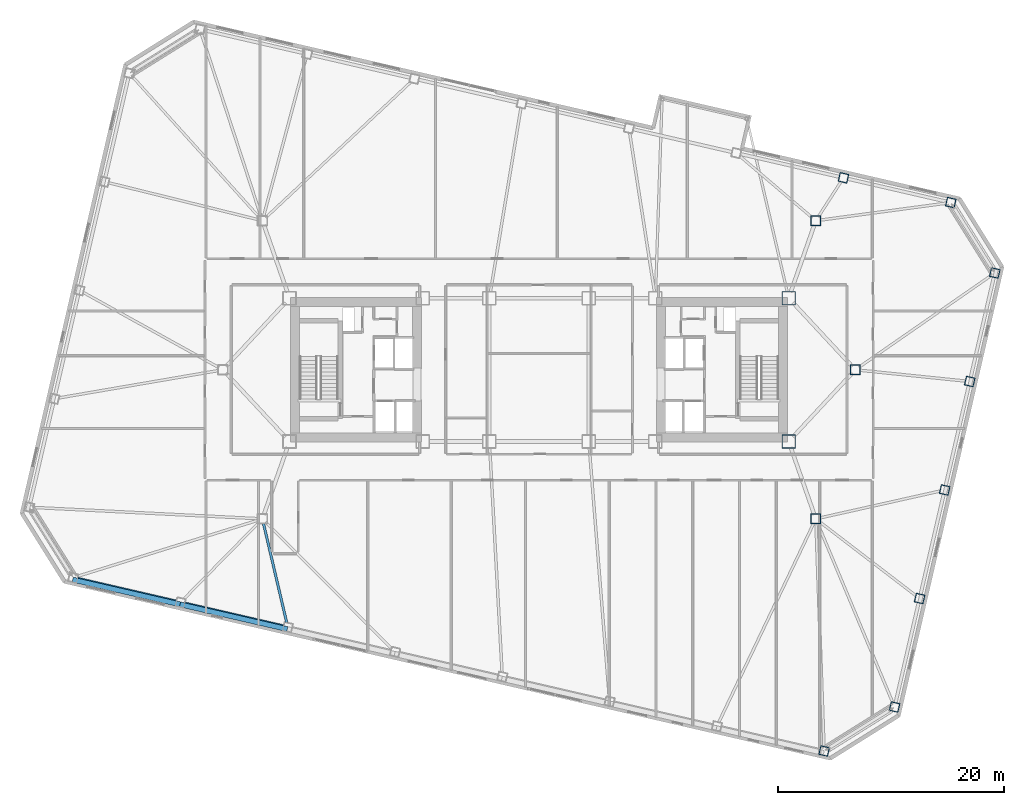
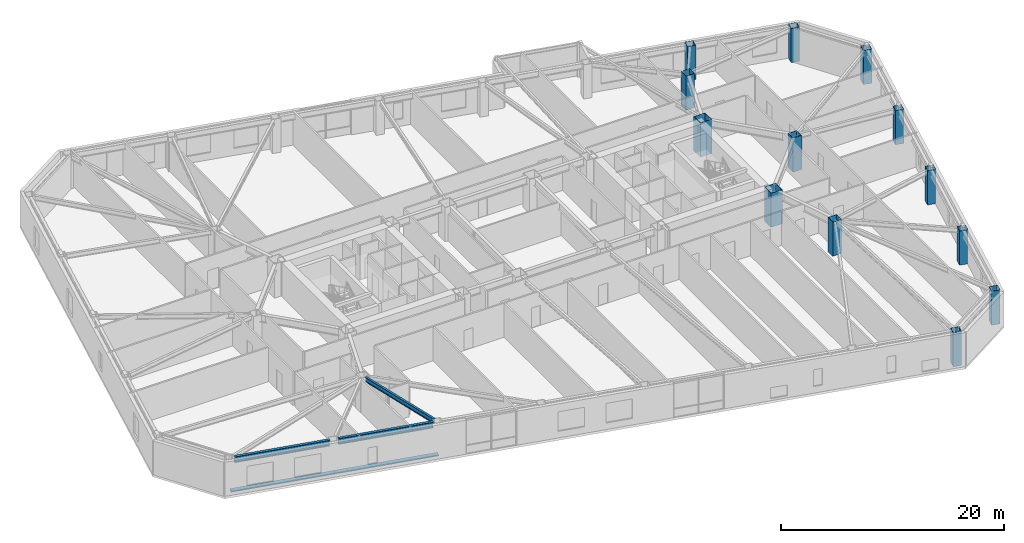
# One storey, part 3 of 21: 13 columns, 3 beams, 2 members.
"""IFC4 building model written with IfcOpenShell, lengths in metres."""

from ifc_helpers import new_model, si_unit, direction, frame, origin, origin_2d, place, context, subcontext, project, spatial, rectangle, hollow_rectangle, i_section, extrude, material, material_profile, profile_set, type_object, element, save


model = new_model("IFC4")

# Units and contexts
model_context = context("Model", 3, precision=1e-05, world=origin(), true_north=direction((0.0, 1.0)))
body_context = subcontext(model_context, "Body", "Model", "MODEL_VIEW")
ifc_project = project(units=[si_unit("LENGTHUNIT", "METRE"), si_unit("AREAUNIT", "SQUARE_METRE"), si_unit("VOLUMEUNIT", "CUBIC_METRE"), si_unit("PLANEANGLEUNIT", "RADIAN"), si_unit("MASSUNIT", "GRAM", prefix="KILO")], contexts=[model_context])

# Site, building, storey
site_placement = place(None, origin())
site = spatial("IfcSite", under=ifc_project, at=site_placement, CompositionType="ELEMENT")
building_placement = place(site_placement, origin())
building = spatial("IfcBuilding", under=site, at=building_placement, Name="Tavrogorsk Clinical Tower", CompositionType="ELEMENT")
storey_placement = place(building_placement, frame((0.0, 0.0, 71.39990234375)))
storey = spatial("IfcBuildingStorey", under=building, at=storey_placement, Name="L15", CompositionType="ELEMENT", Elevation=71.39990234375)

# Columns
ifc_material_1 = material(Name="Structural steel S440", Category="steel")
ifc_material_profile_1 = material_profile(ifc_material_1, hollow_rectangle(XDim=1.199951171875, YDim=1.199951171875, WallThickness=0.050048828125, at=origin_2d()), Name="BOX-1200x1200x50")
ifc_profile_set_1 = profile_set([ifc_material_profile_1], Name="Structural steel S440")
column_type_1 = type_object("IfcColumnType", Name="MegaCol_BOX1200", PredefinedType="COLUMN", material=ifc_profile_set_1)
for number, where, z_axis, x_axis, name in (
    (1, (22.10009765625, -6.35009765625, 0.0), (0.0, 0.0, 1.0), (1.0, 0.0, 0.0), "L15 Mega Column MC-E3"),
    (2, (22.10009765625, 6.35009765625, 0.0), (0.0, 0.0, 1.0), (1.0, 0.0, 0.0), "L15 Mega Column MC-E4"),
):
    element("IfcColumn", number, at=place(storey_placement, frame(where, z_axis=z_axis, x_axis=x_axis)), inside=storey, type_object=column_type_1, Name=name, PredefinedType="COLUMN", context=body_context, shape_type="SweptSolid", body=[
        extrude(hollow_rectangle(XDim=1.199951171875, YDim=1.199951171875, WallThickness=0.050048828125, at=origin_2d()), origin(), (0.0, 0.0, 1.0), 3.739990234375),
    ])
ifc_material_2 = material(Name="Structural steel S440", Category="steel")
ifc_material_profile_2 = material_profile(ifc_material_2, hollow_rectangle(XDim=0.89990234375, YDim=0.89990234375, WallThickness=0.0400390625, at=origin_2d()), Name="BOX-900x900x40")
ifc_profile_set_2 = profile_set([ifc_material_profile_2], Name="Structural steel S440")
column_type_2 = type_object("IfcColumnType", Name="MegaCol_BOX900", PredefinedType="COLUMN", material=ifc_profile_set_2)
for number, where, z_axis, x_axis, name in (
    (3, (24.5, -13.199951171875, 0.0), (0.0, 0.0, 1.0), (1.0, 0.0, 0.0), "L15 Spine Pilotis Column MC-P2"),
    (4, (24.5, 13.199951171875, 0.0), (0.0, 0.0, 1.0), (1.0, 0.0, 0.0), "L15 Spine Pilotis Column MC-P4"),
    (5, (28.0, 0.0, 0.0), (0.0, 0.0, 1.0), (1.0, 0.0, 0.0), "L15 Spine Pilotis Column MC-P6"),
):
    element("IfcColumn", number, at=place(storey_placement, frame(where, z_axis=z_axis, x_axis=x_axis)), inside=storey, type_object=column_type_2, Name=name, PredefinedType="COLUMN", context=body_context, shape_type="SweptSolid", body=[
        extrude(hollow_rectangle(XDim=0.89990234375, YDim=0.89990234375, WallThickness=0.0400390625, at=origin_2d()), origin(), (0.0, 0.0, 1.0), 3.739990234375),
    ])
ifc_material_3 = material(Name="Structural steel S440", Category="steel")
ifc_material_profile_3 = material_profile(ifc_material_3, hollow_rectangle(XDim=0.800048828125, YDim=0.800048828125, WallThickness=0.035888671875, at=origin_2d()), Name="BOX-800x800x36")
ifc_profile_set_3 = profile_set([ifc_material_profile_3], Name="Structural steel S440")
column_type_3 = type_object("IfcColumnType", Name="PerimCol_B1_BOX800", PredefinedType="COLUMN", material=ifc_profile_set_3)
for number, where, z_axis, x_axis, name in (
    (6, (25.23974609375, -33.756591796875, 0.0), (0.0, 0.0, 1.0), (0.974370064785, -0.224951054344, 0.0), "L15 Perimeter Column S8"),
    (7, (36.451416015625, 14.805908203125, 0.0), (0.0, 0.0, 1.0), (0.974370064785, -0.224951054344, 0.0), "L15 Perimeter Column N1"),
    (8, (26.952392578125, 16.998779296875, 0.0), (0.0, 0.0, 1.0), (0.974370064785, -0.224951054344, 0.0), "L15 Perimeter Column N2"),
    (9, (31.476318359375, -29.859619140625, 0.0), (0.0, 0.0, 1.0), (0.974370064785, -0.224951054344, 0.0), "L15 Perimeter Column E1"),
    (10, (33.694091796875, -20.25244140625, 0.0), (0.0, 0.0, 1.0), (0.974370064785, -0.224951054344, 0.0), "L15 Perimeter Column E2"),
    (11, (35.912109375, -10.64501953125, 0.0), (0.0, 0.0, 1.0), (0.974370064785, -0.224951054344, 0.0), "L15 Perimeter Column E3"),
    (12, (38.130126953125, -1.037841796875, 0.0), (0.0, 0.0, 1.0), (0.974370064785, -0.224951054344, 0.0), "L15 Perimeter Column E4"),
    (13, (40.348388671875, 8.569580078125, 0.0), (0.0, 0.0, 1.0), (0.974370064785, -0.224951054344, 0.0), "L15 Perimeter Column E5"),
):
    element("IfcColumn", number, at=place(storey_placement, frame(where, z_axis=z_axis, x_axis=x_axis)), inside=storey, type_object=column_type_3, Name=name, PredefinedType="COLUMN", context=body_context, shape_type="SweptSolid", body=[
        extrude(hollow_rectangle(XDim=0.800048828125, YDim=0.800048828125, WallThickness=0.035888671875, at=origin_2d()), origin(), (0.0, 0.0, 1.0), 3.739990234375),
    ])

# Members
ifc_material_4 = material(Name="Anodised aluminium alloy AW-6063", Category="aluminium")
ifc_material_profile_4 = material_profile(ifc_material_4, rectangle(XDim=0.449951171875, YDim=0.1201171875, at=origin_2d()), Name="ALU-SUNSHADE-450x120")
ifc_profile_set_4 = profile_set([ifc_material_profile_4], Name="Anodised aluminium alloy AW-6063")
member_type = type_object("IfcMemberType", Name="ChicagoSunshade_450x120", PredefinedType="USERDEFINED", material=ifc_profile_set_4)
member_1_placement = place(storey_placement, frame((-41.291748046875, -18.581298828125, 0.18017578125), z_axis=(0.974366709214, -0.224965588425, 0.0), x_axis=(0.224965588425, 0.974366709214, 0.0)))
element("IfcMember", 14, at=member_1_placement, inside=storey, type_object=member_type, Name="L15 South Aluminium Sunshade S1", ObjectType="SUNSHADE", PredefinedType="USERDEFINED", context=body_context, shape_type="SweptSolid", body=[
    extrude(rectangle(XDim=0.449951171875, YDim=0.1201171875, at=origin_2d()), origin(), (0.0, 0.0, 1.0), 9.748779296875),
])
member_2_placement = place(storey_placement, frame((-31.79296875, -20.7744140625, 0.18017578125), z_axis=(0.974370931236, -0.2249473013, 0.0), x_axis=(0.2249473013, 0.974370931236, 0.0)))
element("IfcMember", 15, at=member_2_placement, inside=storey, type_object=member_type, Name="L15 South Aluminium Sunshade S2", ObjectType="SUNSHADE", PredefinedType="USERDEFINED", context=body_context, shape_type="SweptSolid", body=[
    extrude(rectangle(XDim=0.449951171875, YDim=0.1201171875, at=origin_2d()), origin(), (0.0, 0.0, 1.0), 9.748291015625),
])

# Beams
ifc_material_5 = material(Name="Structural steel S355", Category="steel")
ifc_material_profile_5 = material_profile(ifc_material_5, i_section(OverallWidth=0.219970703125, OverallDepth=0.5, WebThickness=0.012939453125, FlangeThickness=0.02001953125, at=origin_2d()), Name="B-500x220x13x20")
ifc_profile_set_5 = profile_set([ifc_material_profile_5], Name="Structural steel S355")
beam_type_1 = type_object("IfcBeamType", Name="FloorBeam_B500", PredefinedType="BEAM", material=ifc_profile_set_5)
beam_placement = place(storey_placement, frame((-24.406494140625, -13.59912109375, 3.489990234375), z_axis=(0.227996771429, -0.973661888038, 0.0), x_axis=(0.973661888038, 0.227996771429, 0.0)))
element("IfcBeam", 16, at=beam_placement, inside=storey, type_object=beam_type_1, Name="L15 Radial Floor Beam S3", PredefinedType="BEAM", context=body_context, shape_type="SweptSolid", body=[
    extrude(i_section(OverallWidth=0.219970703125, OverallDepth=0.5, WebThickness=0.012939453125, FlangeThickness=0.02001953125, at=origin_2d()), origin(), (0.0, 0.0, 1.0), 9.033447265625),
])
ifc_material_6 = material(Name="Structural steel S390", Category="steel")
ifc_material_profile_6 = material_profile(ifc_material_6, i_section(OverallWidth=0.280029296875, OverallDepth=0.64990234375, WebThickness=0.01611328125, FlangeThickness=0.02490234375, at=origin_2d()), Name="B-650x280x16x25")
ifc_profile_set_6 = profile_set([ifc_material_profile_6], Name="Structural steel S390")
beam_type_2 = type_object("IfcBeamType", Name="SpandrelBeam_B650", PredefinedType="SPANDREL", material=ifc_profile_set_6)
for number, where, z_axis, x_axis, name in (
    (17, (-40.853759765625, -18.497802734375, 3.4150390625), (0.974372766602, -0.224939351168, 0.0), (0.224939351168, 0.974372766602, 0.0), "L15 Perimeter Spandrel S1-S2"),
    (18, (-31.35498046875, -20.690673828125, 3.4150390625), (0.974366775889, -0.224965299645, 0.0), (0.224965299645, 0.974366775889, 0.0), "L15 Perimeter Spandrel S2-S3"),
):
    element("IfcBeam", number, at=place(storey_placement, frame(where, z_axis=z_axis, x_axis=x_axis)), inside=storey, type_object=beam_type_2, Name=name, PredefinedType="SPANDREL", context=body_context, shape_type="SweptSolid", body=[
        extrude(i_section(OverallWidth=0.280029296875, OverallDepth=0.64990234375, WebThickness=0.01611328125, FlangeThickness=0.02490234375, at=origin_2d()), origin(), (0.0, 0.0, 1.0), 8.9326171875),
    ])

save(model, "model.ifc")
